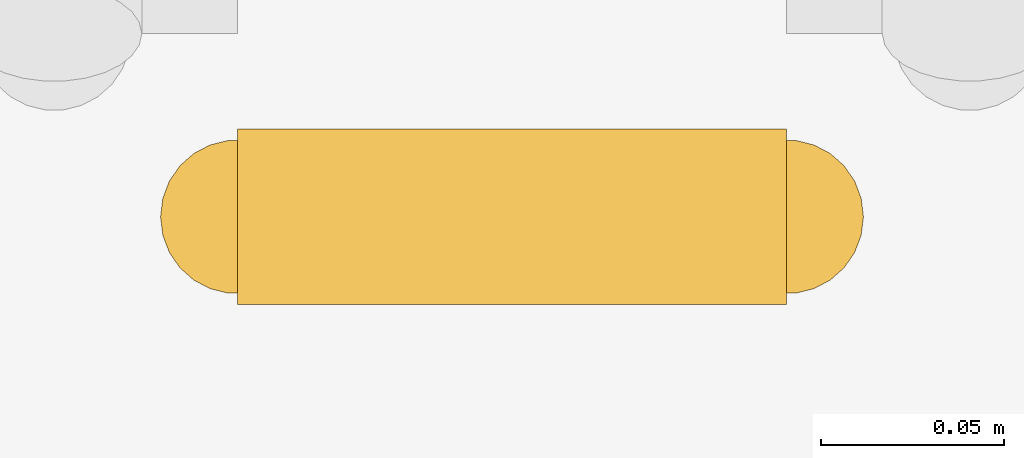
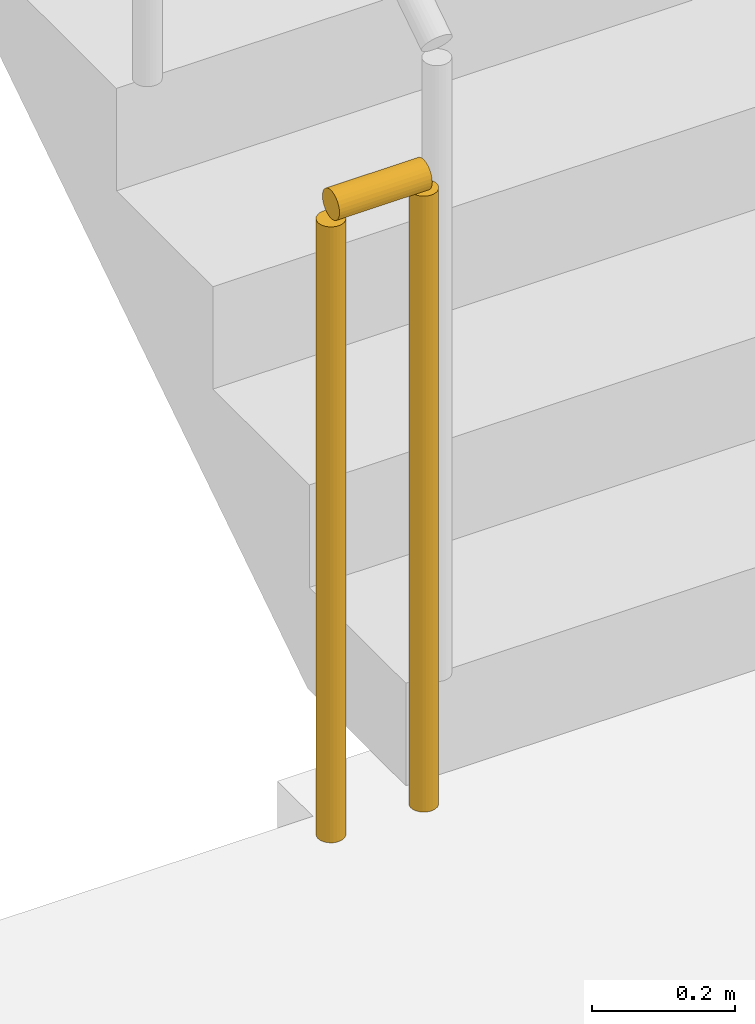
# One storey, part 16 of 19: 1 railing.
"""IFC4 building model written with IfcOpenShell, lengths in metres."""

from ifc_helpers import new_model, si_unit, direction, frame, origin, origin_2d, place, context, subcontext, project, spatial, circle, extrude, material, type_object, element, save


model = new_model("IFC4")

# Units and contexts
model_context = context("Model", 3, precision=1e-05, world=origin(), true_north=direction((0.0, 1.0)))
body_context = subcontext(model_context, "Body", "Model", "MODEL_VIEW")
ifc_project = project(units=[si_unit("LENGTHUNIT", "METRE"), si_unit("AREAUNIT", "SQUARE_METRE"), si_unit("VOLUMEUNIT", "CUBIC_METRE"), si_unit("PLANEANGLEUNIT", "RADIAN"), si_unit("MASSUNIT", "GRAM", prefix="KILO")], contexts=[model_context])

# Site, building, storey
site_placement = place(None, origin())
site = spatial("IfcSite", under=ifc_project, at=site_placement, CompositionType="ELEMENT")
building_placement = place(site_placement, origin())
building = spatial("IfcBuilding", under=site, at=building_placement, Name="Saffron Iwan Residences", CompositionType="ELEMENT")
storey_placement = place(building_placement, frame((0.0, 0.0, 215.0)))
storey = spatial("IfcBuildingStorey", under=building, at=storey_placement, Name="L57", CompositionType="ELEMENT", Elevation=215.0)

# Railing
ifc_material = material(Name="Steel S355", Category="steel")
railing_type = type_object("IfcRailingType", Name="Stair guard 1100", PredefinedType="GUARDRAIL", material=ifc_material)
railing_placement = place(storey_placement, frame((69.699951171875, 67.800048828125, 0.0)))
element("IfcRailing", 1, at=railing_placement, inside=storey, type_object=railing_type, Name="L57 ST-E stair guard 2", PredefinedType="GUARDRAIL", context=body_context, shape_type="SweptSolid", body=[
    extrude(circle(Radius=0.02392578125, at=origin_2d()), frame((0.0, 0.0, 1.076171875), z_axis=(-1.0, 0.0, 0.0), x_axis=(0.0, -1.0, 0.0)), (0.0, 0.0, 1.0), 0.14990234375),
    extrude(circle(Radius=0.02099609375, at=origin_2d()), origin(), (0.0, 0.0, 1.0), 1.052001953125),
    extrude(circle(Radius=0.02099609375, at=origin_2d()), frame((-0.14990234375, 0.0, 0.0)), (0.0, 0.0, 1.0), 1.052001953125),
])

save(model, "model.ifc")
